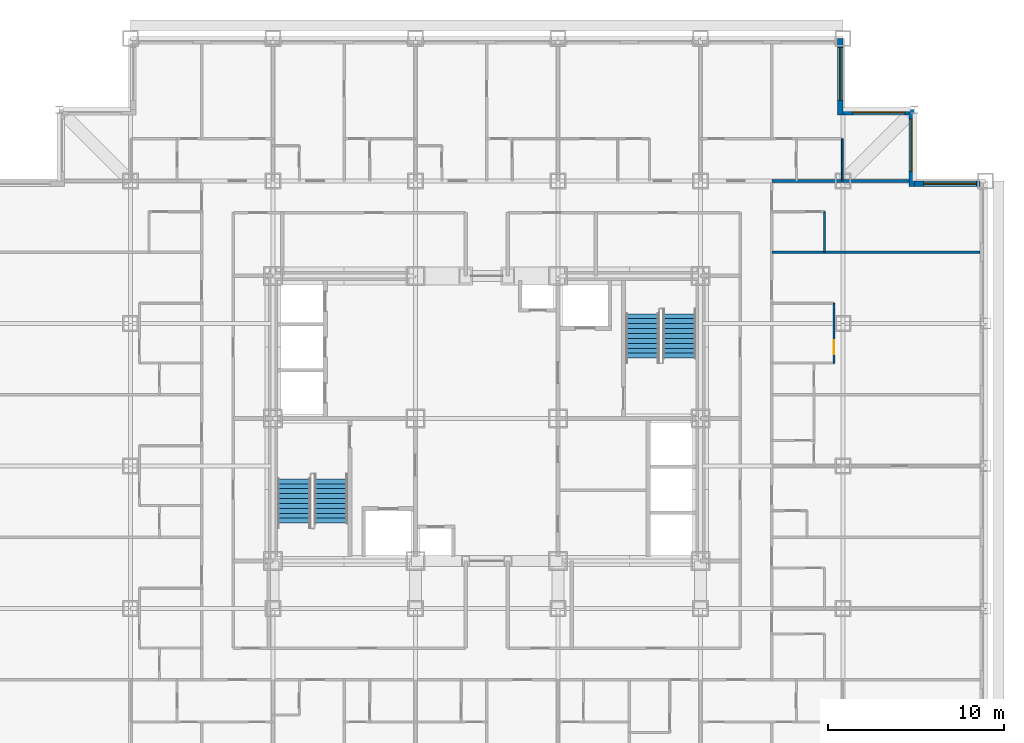
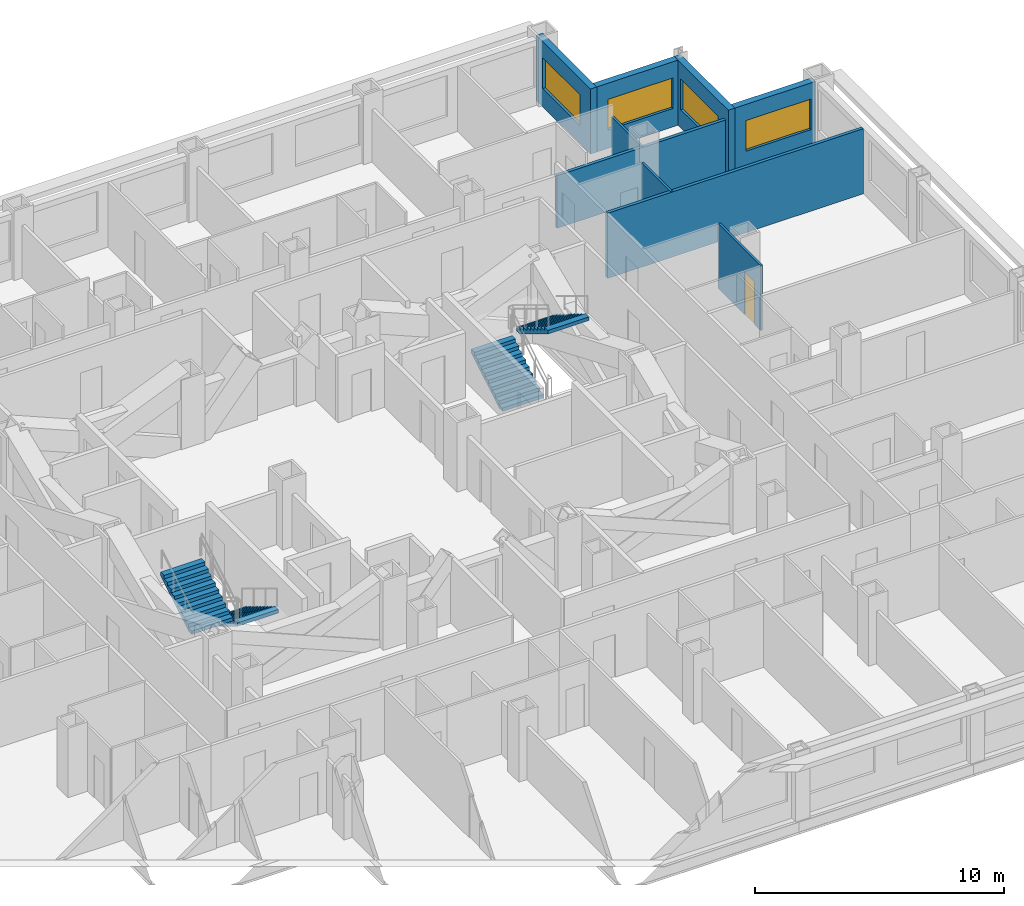
# One storey, part 11 of 12: 9 walls, 4 stair flights, 4 windows, 1 door, 5 openings, 2 elements without a shape of their own.
"""IFC4 building model written with IfcOpenShell, lengths in metres."""

import ifcopenshell
import ifcopenshell.guid

model = None  # the IFC model being written
_history = None  # IfcOwnerHistory: only IFC2X3 demands one
_inside = {}  # id of a spatial element -> (the spatial element, [elements in it])
_under = {}  # id of a project, library or spatial element -> (it, [spatial elements below it])
_declared = {}  # id of a project -> (the project, [libraries it declares])
_typed = {}  # id of a type object -> (the type object, [elements of that type])
_made_of = {}  # id of a material, layer set ... -> (it, [elements and type objects made of it])


def new_model(schema):
    """Start an empty IFC model of exactly this schema.

    Asked for "IFC4X3", IfcOpenShell would pick the latest addendum, in which some entities
    have other attributes; the version numbers below select the first issue.
    IFC2X3 requires an IfcOwnerHistory on every rooted entity: one is made here for all.
    """
    global model, _history
    if schema == "IFC4X3":
        model = ifcopenshell.file(schema_version=(4, 3, 0, 0))
    else:
        model = ifcopenshell.file(schema=schema)
    _inside.clear()
    _under.clear()
    _declared.clear()
    _typed.clear()
    _made_of.clear()
    _history = None
    if model.schema == "IFC2X3":
        org = make("IfcOrganization", Name="unknown")
        user = make(
            "IfcPersonAndOrganization",
            ThePerson=make("IfcPerson", FamilyName="unknown"),
            TheOrganization=org,
        )
        app = make(
            "IfcApplication",
            ApplicationDeveloper=org,
            Version="unknown",
            ApplicationFullName="unknown",
            ApplicationIdentifier="unknown",
        )
        _history = make(
            "IfcOwnerHistory",
            OwningUser=user,
            OwningApplication=app,
            ChangeAction="ADDED",
            CreationDate=0,
        )
    return model


def make(cls, **values):
    """One entity of the class cls with the attributes given. An attribute that is None is left unset."""
    return model.create_entity(
        cls, **{name: value for name, value in values.items() if value is not None}
    )


def rooted(cls, **values):
    """An entity with a GlobalId (a new one), such as an element, a storey or a relation."""
    return make(cls, GlobalId=ifcopenshell.guid.new(), OwnerHistory=_history, **values)


def si_unit(unit_type, name, prefix=None):
    """IfcSIUnit, for example si_unit("LENGTHUNIT", "METRE", prefix="MILLI")."""
    return make("IfcSIUnit", UnitType=unit_type, Prefix=prefix, Name=name)


def assignment(units):
    """IfcUnitAssignment: the units of a project."""
    return None if units is None else make("IfcUnitAssignment", Units=units)


def point(xyz):
    """IfcCartesianPoint."""
    return None if xyz is None else make("IfcCartesianPoint", Coordinates=xyz)


def direction(xyz):
    """IfcDirection."""
    return None if xyz is None else make("IfcDirection", DirectionRatios=xyz)


def frame(location, z_axis=None, x_axis=None):
    """IfcAxis2Placement3D, a coordinate frame: its origin and axes. An axis left out is left unset."""
    return make(
        "IfcAxis2Placement3D",
        Location=point(location),
        Axis=direction(z_axis),
        RefDirection=direction(x_axis),
    )


def frame_2d(location, x_axis=None):
    """IfcAxis2Placement2D, a coordinate frame in the plane: its origin and x axis."""
    return make(
        "IfcAxis2Placement2D", Location=point(location), RefDirection=direction(x_axis)
    )


def origin():
    """The frame at (0, 0, 0) with its axes left unset."""
    return frame((0.0, 0.0, 0.0))


def place(relative_to, where):
    """IfcLocalPlacement: puts the frame where relative to a parent placement (None: the world)."""
    return make(
        "IfcLocalPlacement", PlacementRelTo=relative_to, RelativePlacement=where
    )


def context(
    kind, dimensions, precision=None, world=None, true_north=None, identifier=None
):
    """IfcGeometricRepresentationContext, for example the 3D "Model" context."""
    return make(
        "IfcGeometricRepresentationContext",
        ContextIdentifier=identifier,
        ContextType=kind,
        CoordinateSpaceDimension=dimensions,
        Precision=precision,
        WorldCoordinateSystem=world,
        TrueNorth=true_north,
    )


def subcontext(parent, identifier, kind, view, scale=None):
    """IfcGeometricRepresentationSubContext, for example "Body" below "Model"."""
    return make(
        "IfcGeometricRepresentationSubContext",
        ContextIdentifier=identifier,
        ContextType=kind,
        ParentContext=parent,
        TargetScale=scale,
        TargetView=view,
    )


def project(units=None, contexts=None):
    """IfcProject with its units and contexts."""
    return rooted(
        "IfcProject",
        Name="project",
        RepresentationContexts=contexts,
        UnitsInContext=assignment(units),
    )


def spatial(cls, under=None, at=None, **own):
    """A site, building, storey or space (cls), placed at a placement, below another one or the project."""
    s = rooted(cls, ObjectPlacement=at, **own)
    if under is not None:
        _under.setdefault(under.id(), (under, []))[1].append(s)
    return s


def point_list(points):
    """IfcCartesianPointList2D or 3D."""
    cls = (
        "IfcCartesianPointList2D" if len(points[0]) == 2 else "IfcCartesianPointList3D"
    )
    return make(cls, CoordList=points)


def profile(cls, at=None, kind="AREA", **sizes):
    """A parametric profile (cls). Its sizes go by their IFC names, for example OverallWidth=200.0."""
    return make(cls, ProfileType=kind, Position=at, **sizes)


def rectangle(**sizes):
    """IfcRectangleProfileDef."""
    return profile("IfcRectangleProfileDef", **sizes)


def extrude(swept, where, along, depth):
    """IfcExtrudedAreaSolid: the profile swept, set in the frame where, extruded along a direction by depth."""
    return make(
        "IfcExtrudedAreaSolid",
        SweptArea=swept,
        Position=where,
        ExtrudedDirection=direction(along),
        Depth=depth,
    )


def polygons(points, faces, closed=None, point_numbers=None):
    """IfcPolygonalFaceSet: a face is its outer loop, then its inner loops; points numbered from 1."""
    made = []
    for loops in faces:
        if len(loops) == 1:
            made.append(make("IfcIndexedPolygonalFace", CoordIndex=loops[0]))
        else:
            made.append(
                make(
                    "IfcIndexedPolygonalFaceWithVoids",
                    CoordIndex=loops[0],
                    InnerCoordIndices=loops[1:],
                )
            )
    return make(
        "IfcPolygonalFaceSet",
        Coordinates=point_list(points),
        Closed=closed,
        Faces=made,
        PnIndex=point_numbers,
    )


def shape(context_of_items, identifier, shape_type, items):
    """IfcShapeRepresentation: the items that make up one representation, for example the "Body"."""
    return make(
        "IfcShapeRepresentation",
        ContextOfItems=context_of_items,
        RepresentationIdentifier=identifier,
        RepresentationType=shape_type,
        Items=items,
    )


def source(mapping_origin, context_of_items, identifier, shape_type, items):
    """IfcRepresentationMap: a shape defined once, which mapped items show again and again."""
    return make(
        "IfcRepresentationMap",
        MappingOrigin=mapping_origin,
        MappedRepresentation=shape(context_of_items, identifier, shape_type, items),
    )


def transform(
    local_origin,
    x_axis=None,
    y_axis=None,
    z_axis=None,
    scale=None,
    scale2=None,
    scale3=None,
    uniform=True,
):
    """IfcCartesianTransformationOperator3D, or its non-uniform kind. x_axis, y_axis, z_axis: its Axis1, 2, 3."""
    if uniform:
        return make(
            "IfcCartesianTransformationOperator3D",
            Axis1=direction(x_axis),
            Axis2=direction(y_axis),
            LocalOrigin=point(local_origin),
            Scale=scale,
            Axis3=direction(z_axis),
        )
    return make(
        "IfcCartesianTransformationOperator3DnonUniform",
        Axis1=direction(x_axis),
        Axis2=direction(y_axis),
        LocalOrigin=point(local_origin),
        Scale=scale,
        Axis3=direction(z_axis),
        Scale2=scale2,
        Scale3=scale3,
    )


def mapped(mapping_source, mapping_target):
    """IfcMappedItem: shows the shape of a source again, moved by a transform."""
    return make(
        "IfcMappedItem", MappingSource=mapping_source, MappingTarget=mapping_target
    )


def material(Name=None, Category=None):
    """IfcMaterial."""
    return make("IfcMaterial", Name=Name, Category=Category)


def layer(
    of_material, thickness, ventilated=None, Name=None, Category=None, Priority=None
):
    """IfcMaterialLayer: one layer of a wall or slab, of a material (None: an air gap)."""
    return make(
        "IfcMaterialLayer",
        Material=of_material,
        LayerThickness=thickness,
        IsVentilated=ventilated,
        Name=Name,
        Category=Category,
        Priority=Priority,
    )


def layer_set(layers, Name=None):
    """IfcMaterialLayerSet."""
    return make("IfcMaterialLayerSet", MaterialLayers=layers, LayerSetName=Name)


def made_of(thing, what):
    """Note that an element or type object is made of a material, layer set ...; save() writes the relation."""
    if what is not None:
        _made_of.setdefault(what.id(), (what, []))[1].append(thing)
    return thing


def type_object(cls, material=None, **own):
    """A type object (cls), such as IfcWallType, which elements share."""
    return made_of(rooted(cls, **own), material)


def element(
    cls,
    number,
    at=None,
    inside=None,
    cuts=None,
    type_object=None,
    material=None,
    context=None,
    identifier="Body",
    shape_type=None,
    held_by="IfcProductDefinitionShape",
    body=None,
    shapes=None,
    **own,
):
    """One element of the class cls, such as IfcWall. Its Tag is "e" and its number.

    at: its placement. inside: the storey or other place that contains it. cuts: it is an
    opening in that element (IfcRelVoidsElement). A single representation is given by context,
    identifier, shape_type and body (its items); several are given by shapes. held_by: the class
    of the entity that holds the representations. save() writes the other relations.
    """
    e = rooted(cls, Tag="e%d" % number, ObjectPlacement=at, **own)
    if body is not None:
        shapes = [shape(context, identifier, shape_type, body)]
    if shapes is not None:
        e.Representation = make(held_by, Representations=shapes)
    if inside is not None:
        _inside.setdefault(inside.id(), (inside, []))[1].append(e)
    if cuts is not None:
        rooted(
            "IfcRelVoidsElement", RelatingBuildingElement=cuts, RelatedOpeningElement=e
        )
    if type_object is not None:
        _typed.setdefault(type_object.id(), (type_object, []))[1].append(e)
    return made_of(e, material)


def fill(opening, filler):
    """IfcRelFillsElement: the door or window that sits in an opening."""
    return rooted(
        "IfcRelFillsElement",
        RelatingOpeningElement=opening,
        RelatedBuildingElement=filler,
    )


def aggregate(whole, parts):
    """IfcRelAggregates: a whole, such as a stair, and the parts it consists of."""
    return rooted("IfcRelAggregates", RelatingObject=whole, RelatedObjects=parts)


def save(model, path):
    """Write the relations noted so far, then the file.

    IfcRelAggregates (storeys below a building ...), IfcRelContainedInSpatialStructure (elements
    in a storey), IfcRelDefinesByType, IfcRelAssociatesMaterial and IfcRelDeclares: one each for
    every whole, place, type object, material and project.
    """
    for whole, parts in _under.values():
        aggregate(whole, parts)
    for where, things in _inside.values():
        rooted(
            "IfcRelContainedInSpatialStructure",
            RelatedElements=things,
            RelatingStructure=where,
        )
    for kind, things in _typed.values():
        rooted("IfcRelDefinesByType", RelatedObjects=things, RelatingType=kind)
    for what, things in _made_of.values():
        rooted("IfcRelAssociatesMaterial", RelatedObjects=things, RelatingMaterial=what)
    for by, libraries in _declared.values():
        rooted("IfcRelDeclares", RelatingContext=by, RelatedDefinitions=libraries)
    model.write(path)


model = new_model("IFC4")

# Units and contexts
model_context = context("Model", 3, precision=1e-05, world=origin(), true_north=direction((0.0, 1.0)))
body_context = subcontext(model_context, "Body", "Model", "MODEL_VIEW")
ifc_project = project(units=[si_unit("LENGTHUNIT", "METRE"), si_unit("AREAUNIT", "SQUARE_METRE"), si_unit("VOLUMEUNIT", "CUBIC_METRE"), si_unit("PLANEANGLEUNIT", "RADIAN"), si_unit("MASSUNIT", "GRAM", prefix="KILO")], contexts=[model_context])

# Site, building, storey
site_placement = place(None, origin())
site = spatial("IfcSite", under=ifc_project, at=site_placement, CompositionType="ELEMENT")
building_placement = place(site_placement, origin())
building = spatial("IfcBuilding", under=site, at=building_placement, Name="Kopane Lantern Tower", CompositionType="ELEMENT")
storey_placement = place(building_placement, frame((0.0, 0.0, 120.39990234375)))
storey = spatial("IfcBuildingStorey", under=building, at=storey_placement, Name="L30", CompositionType="ELEMENT", Elevation=120.39990234375)

# Wall, opening, door
ifc_material_1 = material(Name="Moisture-resistant board on steel studs", Category="steel")
ifc_layer_1 = layer(ifc_material_1, 0.10009765625)
ifc_layer_set_1 = layer_set([ifc_layer_1], Name="BATHROOM WALL 100")
wall_type_1 = type_object("IfcWallType", Name="BATHROOM WALL 100", PredefinedType="PARTITIONING", material=ifc_layer_set_1)
wall_1_placement = place(storey_placement, frame((48.090087890625, 35.550048828125, 0.0), z_axis=(0.0, 0.0, 1.0), x_axis=(0.0, 1.0, 0.0)))
wall_1 = element("IfcWall", 1, at=wall_1_placement, inside=storey, type_object=wall_type_1, Name="Bathroom Wall 100 L30", PredefinedType="PARTITIONING", context=body_context, shape_type="SweptSolid", body=[
    extrude(rectangle(XDim=3.39990234375, YDim=0.10009765625, at=frame_2d((1.699951171875, 0.0))), origin(), (0.0, 0.0, 1.0), 3.190185546875),
])
opening_1_placement = place(wall_1_placement, frame((0.5, 0.0, 0.0)))
opening_1 = element("IfcOpeningElement", 2, at=opening_1_placement, cuts=wall_1, Name="Opening L30-054", PredefinedType="OPENING", context=body_context, shape_type="SweptSolid", body=[
    extrude(rectangle(XDim=0.800048828125, YDim=2.10009765625, at=frame_2d((0.39990234375, 1.050048828125))), frame((0.0, 0.06005859375, 0.0), z_axis=(0.0, -1.0, 0.0), x_axis=(1.0, 0.0, 0.0)), (0.0, 0.0, 1.0), 0.1201171875),
])
ifc_material_2 = material(Name="Timber door set", Category="wood")
door_type = type_object("IfcDoorType", Name="DOOR D2 800x2100", OperationType="SINGLE_SWING_LEFT", PredefinedType="DOOR", material=ifc_material_2)
door_placement = place(opening_1_placement, origin())
door = element("IfcDoor", 3, at=door_placement, inside=storey, type_object=door_type, Name="Door L30-054", OperationType="SINGLE_SWING_LEFT", OverallHeight=2.10009765625, OverallWidth=0.800048828125, PredefinedType="DOOR", context=body_context, shape_type="SweptSolid", body=[
    extrude(rectangle(XDim=0.800048828125, YDim=2.10009765625, at=frame_2d((0.39990234375, 1.050048828125))), frame((0.0, 0.02490234375, 0.0), z_axis=(0.0, -1.0, 0.0), x_axis=(1.0, 0.0, 0.0)), (0.0, 0.0, 1.0), 0.050048828125),
])
fill(opening_1, door)

# Walls
wall_2_placement = place(storey_placement, frame((47.550048828125, 41.85009765625, 0.0), z_axis=(0.0, 0.0, 1.0), x_axis=(0.0, 1.0, 0.0)))
element("IfcWall", 4, at=wall_2_placement, inside=storey, type_object=wall_type_1, Name="Bathroom Wall 100 L30", PredefinedType="PARTITIONING", context=body_context, shape_type="SweptSolid", body=[
    extrude(rectangle(XDim=2.2998046875, YDim=0.10009765625, at=frame_2d((1.14990234375, 0.0))), origin(), (0.0, 0.0, 1.0), 3.190185546875),
])
wall_3_placement = place(storey_placement, frame((48.550048828125, 45.89990234375, 0.0), z_axis=(0.0, 0.0, 1.0), x_axis=(0.0, 1.0, 0.0)))
element("IfcWall", 5, at=wall_3_placement, inside=storey, type_object=wall_type_1, Name="Bathroom Wall 100 L30", PredefinedType="PARTITIONING", context=body_context, shape_type="SweptSolid", body=[
    extrude(rectangle(XDim=2.400146484375, YDim=0.10009765625, at=frame_2d((1.2001953125, 0.0))), origin(), (0.0, 0.0, 1.0), 2.577880859375),
])
ifc_material_3 = material(Name="Gypsum board on steel studs", Category="steel")
ifc_layer_2 = layer(ifc_material_3, 0.14990234375)
ifc_layer_set_2 = layer_set([ifc_layer_2], Name="DEMISING WALL 150 EI 60")
wall_type_2 = type_object("IfcWallType", Name="DEMISING WALL 150 EI 60", PredefinedType="PARTITIONING", material=ifc_layer_set_2)
wall_4_placement = place(storey_placement, frame((44.550048828125, 41.85009765625, 0.0), z_axis=(0.0, 0.0, 1.0), x_axis=(1.0, 0.0, 0.0)))
element("IfcWall", 6, at=wall_4_placement, inside=storey, type_object=wall_type_2, Name="Demising Wall 150 Ei 60 L30", PredefinedType="PARTITIONING", context=body_context, shape_type="SweptSolid", body=[
    extrude(rectangle(XDim=11.849853515625, YDim=0.14990234375, at=frame_2d((5.9248046875, 0.0))), origin(), (0.0, 0.0, 1.0), 3.190185546875),
])
wall_5_placement = place(storey_placement, frame((44.550048828125, 45.89990234375, 0.0), z_axis=(0.0, 0.0, 1.0), x_axis=(1.0, 0.0, 0.0)))
element("IfcWall", 7, at=wall_5_placement, inside=storey, type_object=wall_type_2, Name="Demising Wall 150 Ei 60 L30", PredefinedType="PARTITIONING", context=body_context, shape_type="SweptSolid", body=[
    extrude(rectangle(XDim=7.800048828125, YDim=0.14990234375, at=frame_2d((3.89990234375, 0.0))), origin(), (0.0, 0.0, 1.0), 2.577880859375),
])

# Wall, opening, window
ifc_material_4 = material(Name="Terracotta rainscreen on light steel framing", Category="masonry")
ifc_layer_3 = layer(ifc_material_4, 0.300048828125)
ifc_layer_set_3 = layer_set([ifc_layer_3], Name="EXTERNAL WALL EW1 300 TERRACOTTA")
wall_type_3 = type_object("IfcWallType", Name="EXTERNAL WALL EW1 300 TERRACOTTA", PredefinedType="SOLIDWALL", material=ifc_layer_set_3)
wall_6_placement = place(storey_placement, frame((56.39990234375, 45.75, 0.0), z_axis=(0.0, 0.0, 1.0), x_axis=(-1.0, 0.0, 0.0)))
wall_6 = element("IfcWall", 8, at=wall_6_placement, inside=storey, type_object=wall_type_3, Name="External wall N L30", PredefinedType="SOLIDWALL", context=body_context, shape_type="SweptSolid", body=[
    extrude(rectangle(XDim=3.75, YDim=0.300048828125, at=frame_2d((1.875, 0.0))), origin(), (0.0, 0.0, 1.0), 3.190185546875),
])
opening_2_placement = place(wall_6_placement, frame((0.22509765625, 0.0, 0.89990234375)))
opening_2 = element("IfcOpeningElement", 9, at=opening_2_placement, cuts=wall_6, Name="Opening WR300150", PredefinedType="OPENING", context=body_context, shape_type="SweptSolid", body=[
    extrude(rectangle(XDim=3.0, YDim=1.5, at=frame_2d((1.5, 0.75))), frame((0.0, 0.159912109375, 0.0), z_axis=(0.0, -1.0, 0.0), x_axis=(1.0, 0.0, 0.0)), (0.0, 0.0, 1.0), 0.320068359375),
])
ifc_material_5 = material(Name="Aluminium and clear glass", Category="aluminium")
window_type = type_object("IfcWindowType", Name="RIBBON WINDOW WR300150 3000x1500", PartitioningType="SINGLE_PANEL", PredefinedType="WINDOW", material=ifc_material_5)
window_1_placement = place(opening_2_placement, origin())
window_1 = element("IfcWindow", 10, at=window_1_placement, inside=storey, type_object=window_type, Name="Window N L30", OverallHeight=1.5, OverallWidth=3.0, PartitioningType="SINGLE_PANEL", PredefinedType="WINDOW", context=body_context, shape_type="SweptSolid", body=[
    extrude(rectangle(XDim=3.0, YDim=1.5, at=frame_2d((1.5, 0.75))), frame((0.0, 0.030029296875, 0.0), z_axis=(0.0, -1.0, 0.0), x_axis=(1.0, 0.0, 0.0)), (0.0, 0.0, 1.0), 0.06005859375),
])
fill(opening_2, window_1)

wall_7_placement = place(storey_placement, frame((52.5, 45.60009765625, 0.0), z_axis=(0.0, 0.0, 1.0), x_axis=(0.0, 1.0, 0.0)))
wall_7 = element("IfcWall", 11, at=wall_7_placement, inside=storey, type_object=wall_type_3, Name="External wall E L30", PredefinedType="SOLIDWALL", context=body_context, shape_type="SweptSolid", body=[
    extrude(rectangle(XDim=4.349853515625, YDim=0.300048828125, at=frame_2d((2.1748046875, 0.0))), origin(), (0.0, 0.0, 1.0), 3.190185546875),
])
opening_3_placement = place(wall_7_placement, frame((0.824951171875, 0.0, 0.89990234375)))
opening_3 = element("IfcOpeningElement", 12, at=opening_3_placement, cuts=wall_7, Name="Opening WR300150", PredefinedType="OPENING", context=body_context, shape_type="SweptSolid", body=[
    extrude(rectangle(XDim=3.0, YDim=1.5, at=frame_2d((1.5, 0.75))), frame((0.0, 0.159912109375, 0.0), z_axis=(0.0, -1.0, 0.0), x_axis=(1.0, 0.0, 0.0)), (0.0, 0.0, 1.0), 0.320068359375),
])
window_2_placement = place(opening_3_placement, origin())
window_2 = element("IfcWindow", 13, at=window_2_placement, inside=storey, type_object=window_type, Name="Window E L30", OverallHeight=1.5, OverallWidth=3.0, PartitioningType="SINGLE_PANEL", PredefinedType="WINDOW", context=body_context, shape_type="SweptSolid", body=[
    extrude(rectangle(XDim=3.0, YDim=1.5, at=frame_2d((1.5, 0.75))), frame((0.0, 0.030029296875, 0.0), z_axis=(0.0, -1.0, 0.0), x_axis=(1.0, 0.0, 0.0)), (0.0, 0.0, 1.0), 0.06005859375),
])
fill(opening_3, window_2)

wall_8_placement = place(storey_placement, frame((52.35009765625, 49.800048828125, 0.0), z_axis=(0.0, 0.0, 1.0), x_axis=(-1.0, 0.0, 0.0)))
wall_8 = element("IfcWall", 14, at=wall_8_placement, inside=storey, type_object=wall_type_3, Name="External wall N L30", PredefinedType="SOLIDWALL", context=body_context, shape_type="SweptSolid", body=[
    extrude(rectangle(XDim=3.75, YDim=0.300048828125, at=frame_2d((1.875, 0.0))), origin(), (0.0, 0.0, 1.0), 3.190185546875),
])
opening_4_placement = place(wall_8_placement, frame((0.22509765625, 0.0, 0.89990234375)))
opening_4 = element("IfcOpeningElement", 15, at=opening_4_placement, cuts=wall_8, Name="Opening WR300150", PredefinedType="OPENING", context=body_context, shape_type="SweptSolid", body=[
    extrude(rectangle(XDim=3.0, YDim=1.5, at=frame_2d((1.5, 0.75))), frame((0.0, 0.159912109375, 0.0), z_axis=(0.0, -1.0, 0.0), x_axis=(1.0, 0.0, 0.0)), (0.0, 0.0, 1.0), 0.320068359375),
])
window_3_placement = place(opening_4_placement, origin())
window_3 = element("IfcWindow", 16, at=window_3_placement, inside=storey, type_object=window_type, Name="Window N L30", OverallHeight=1.5, OverallWidth=3.0, PartitioningType="SINGLE_PANEL", PredefinedType="WINDOW", context=body_context, shape_type="SweptSolid", body=[
    extrude(rectangle(XDim=3.0, YDim=1.5, at=frame_2d((1.5, 0.75))), frame((0.0, 0.030029296875, 0.0), z_axis=(0.0, -1.0, 0.0), x_axis=(1.0, 0.0, 0.0)), (0.0, 0.0, 1.0), 0.06005859375),
])
fill(opening_4, window_3)

wall_9_placement = place(storey_placement, frame((48.449951171875, 49.64990234375, 0.0), z_axis=(0.0, 0.0, 1.0), x_axis=(0.0, 1.0, 0.0)))
wall_9 = element("IfcWall", 17, at=wall_9_placement, inside=storey, type_object=wall_type_3, Name="External wall E L30", PredefinedType="SOLIDWALL", context=body_context, shape_type="SweptSolid", body=[
    extrude(rectangle(XDim=4.35009765625, YDim=0.300048828125, at=frame_2d((2.175048828125, 0.0))), origin(), (0.0, 0.0, 1.0), 3.190185546875),
])
opening_5_placement = place(wall_9_placement, frame((0.824951171875, 0.0, 0.89990234375)))
opening_5 = element("IfcOpeningElement", 18, at=opening_5_placement, cuts=wall_9, Name="Opening WR300150", PredefinedType="OPENING", context=body_context, shape_type="SweptSolid", body=[
    extrude(rectangle(XDim=3.0, YDim=1.5, at=frame_2d((1.5, 0.75))), frame((0.0, 0.159912109375, 0.0), z_axis=(0.0, -1.0, 0.0), x_axis=(1.0, 0.0, 0.0)), (0.0, 0.0, 1.0), 0.320068359375),
])
window_4_placement = place(opening_5_placement, origin())
window_4 = element("IfcWindow", 19, at=window_4_placement, inside=storey, type_object=window_type, Name="Window E L30", OverallHeight=1.5, OverallWidth=3.0, PartitioningType="SINGLE_PANEL", PredefinedType="WINDOW", context=body_context, shape_type="SweptSolid", body=[
    extrude(rectangle(XDim=3.0, YDim=1.5, at=frame_2d((1.5, 0.75))), frame((0.0, 0.030029296875, 0.0), z_axis=(0.0, -1.0, 0.0), x_axis=(1.0, 0.0, 0.0)), (0.0, 0.0, 1.0), 0.06005859375),
])
fill(opening_5, window_4)

# Stair, stair flights
ifc_material_6 = material(Name="Steel S355JR", Category="steel")
stair_type = type_object("IfcStairType", Name="EXIT STAIR 1900 HALF TURN", PredefinedType="HALF_TURN_STAIR", material=ifc_material_6)
stair_1_placement = place(storey_placement, origin())
stair_1 = element("IfcStair", 20, at=stair_1_placement, inside=storey, type_object=stair_type, Name="Exit stair ST1 L30", PredefinedType="HALF_TURN_STAIR")
ifc_material_7 = material(Name="Steel S355JR", Category="steel")
stair_flight_type = type_object("IfcStairFlightType", Name="STAIR FLIGHT 1900 STEEL", PredefinedType="STRAIGHT", material=ifc_material_7)
shared_shape = source(origin(), body_context, "Body", "Tessellation", [
    polygons([(2.520019531, 0.949951172, 1.530029297), (2.239990234, 0.949951172, 1.530029297), (2.239990234, -0.949951172, 1.530029297), (2.520019531, -0.949951172, 1.530029297), (0.288818359, 0.949951172, 0.0), (2.520019531, 0.949951172, 1.354736328), (2.520019531, -0.949951172, 1.354736328), (0.288818359, -0.949951172, 0.0), (0.0, 0.949951172, 0.0), (0.0, -0.949951172, 0.0), (0.280029297, 0.949951172, 0.169921875), (0.0, 0.949951172, 0.169921875), (0.0, -0.949951172, 0.169921875), (0.280029297, -0.949951172, 0.169921875), (0.280029297, 0.949951172, 0.340087891), (0.280029297, -0.949951172, 0.340087891), (0.560058594, 0.949951172, 0.340087891), (0.560058594, -0.949951172, 0.340087891), (0.560058594, 0.949951172, 0.510009766), (0.560058594, -0.949951172, 0.510009766), (0.840087891, 0.949951172, 0.510009766), (0.840087891, -0.949951172, 0.510009766), (0.840087891, 0.949951172, 0.679931641), (0.840087891, -0.949951172, 0.679931641), (1.120117188, 0.949951172, 0.679931641), (1.120117188, -0.949951172, 0.679931641), (1.120117188, 0.949951172, 0.850097656), (1.120117188, -0.949951172, 0.850097656), (1.399902344, 0.949951172, 0.850097656), (1.399902344, -0.949951172, 0.850097656), (1.399902344, 0.949951172, 1.020019531), (1.399902344, -0.949951172, 1.020019531), (1.679931641, 0.949951172, 1.020019531), (1.679931641, -0.949951172, 1.020019531), (1.679931641, 0.949951172, 1.189941406), (1.679931641, -0.949951172, 1.189941406), (1.959960938, 0.949951172, 1.189941406), (1.959960938, -0.949951172, 1.189941406), (1.959960938, 0.949951172, 1.360107422), (1.959960938, -0.949951172, 1.360107422), (2.239990234, 0.949951172, 1.360107422), (2.239990234, -0.949951172, 1.360107422), (0.0, 0.0, 0.004592483), (0.0, 0.0, 0.009184966), (0.0, 0.0, 0.013777449), (0.0, 0.0, 0.018369932), (0.0, 0.0, 0.022962416), (0.0, 0.0, 0.027554899), (0.0, 0.0, 0.032147382), (0.0, 0.0, 0.036739865), (0.0, 0.0, 0.041332348), (0.0, 0.0, 0.045924831), (0.0, 0.0, 0.050517314), (0.0, 0.0, 0.055109797), (0.0, 0.0, 0.05970228), (0.0, 0.0, 0.064294764), (0.0, 0.0, 0.068887247), (0.0, 0.0, 0.07347973), (0.0, 0.0, 0.078072213), (0.0, 0.0, 0.082664696), (0.0, 0.0, 0.087257179), (0.0, 0.0, 0.091849662), (0.0, 0.0, 0.096442145), (0.0, 0.0, 0.101034628), (0.0, 0.0, 0.105627111), (0.0, 0.0, 0.110219595), (0.0, 0.0, 0.114812078), (0.0, 0.0, 0.119404561), (0.0, 0.0, 0.123997044), (0.0, 0.0, 0.128589527), (0.0, 0.0, 0.13318201), (0.0, 0.0, 0.137774493), (0.0, 0.0, 0.142366976), (0.0, 0.0, 0.146959459), (0.0, 0.0, 0.151551943), (0.0, 0.0, 0.156144426), (0.0, 0.0, 0.160736909), (0.0, 0.0, 0.165329392), (2.520019531, 0.0, 1.359473976), (2.520019531, 0.0, 1.364211624), (2.520019531, 0.0, 1.368949272), (2.520019531, 0.0, 1.373686919), (2.520019531, 0.0, 1.378424567), (2.520019531, 0.0, 1.383162215), (2.520019531, 0.0, 1.387899863), (2.520019531, 0.0, 1.392637511), (2.520019531, 0.0, 1.397375158), (2.520019531, 0.0, 1.402112806), (2.520019531, 0.0, 1.406850454), (2.520019531, 0.0, 1.411588102), (2.520019531, 0.0, 1.41632575), (2.520019531, 0.0, 1.421063397), (2.520019531, 0.0, 1.425801045), (2.520019531, 0.0, 1.430538693), (2.520019531, 0.0, 1.435276341), (2.520019531, 0.0, 1.440013989), (2.520019531, 0.0, 1.444751636), (2.520019531, 0.0, 1.449489284), (2.520019531, 0.0, 1.454226932), (2.520019531, 0.0, 1.45896458), (2.520019531, 0.0, 1.463702228), (2.520019531, 0.0, 1.468439875), (2.520019531, 0.0, 1.473177523), (2.520019531, 0.0, 1.477915171), (2.520019531, 0.0, 1.482652819), (2.520019531, 0.0, 1.487390467), (2.520019531, 0.0, 1.492128114), (2.520019531, 0.0, 1.496865762), (2.520019531, 0.0, 1.50160341), (2.520019531, 0.0, 1.506341058), (2.520019531, 0.0, 1.511078706), (2.520019531, 0.0, 1.515816353), (2.520019531, 0.0, 1.520554001), (2.520019531, 0.0, 1.525291649)], [[[1, 2, 3]], [[1, 3, 4]], [[5, 6, 7]], [[5, 7, 8]], [[9, 5, 8]], [[9, 8, 10]], [[11, 12, 13]], [[11, 13, 14]], [[15, 11, 14]], [[15, 14, 16]], [[17, 15, 16]], [[17, 16, 18]], [[19, 17, 18]], [[19, 18, 20]], [[21, 19, 20]], [[21, 20, 22]], [[23, 21, 22]], [[23, 22, 24]], [[25, 23, 24]], [[25, 24, 26]], [[27, 25, 26]], [[27, 26, 28]], [[29, 27, 28]], [[29, 28, 30]], [[31, 29, 30]], [[31, 30, 32]], [[33, 31, 32]], [[33, 32, 34]], [[35, 33, 34]], [[35, 34, 36]], [[37, 35, 36]], [[37, 36, 38]], [[39, 37, 38]], [[39, 38, 40]], [[41, 39, 40]], [[41, 40, 42]], [[2, 41, 42]], [[2, 42, 3]], [[41, 1, 6]], [[37, 41, 6]], [[2, 1, 41]], [[33, 37, 6]], [[39, 41, 37]], [[35, 37, 33]], [[31, 33, 29]], [[5, 21, 25]], [[27, 29, 25]], [[17, 21, 5]], [[23, 25, 21]], [[11, 17, 5]], [[19, 21, 17]], [[9, 11, 5]], [[15, 17, 11]], [[12, 11, 9]], [[6, 5, 25]], [[6, 25, 29]], [[6, 29, 33]], [[7, 4, 42]], [[7, 42, 38]], [[42, 4, 3]], [[7, 38, 34]], [[38, 42, 40]], [[34, 38, 36]], [[30, 34, 32]], [[26, 22, 8]], [[26, 30, 28]], [[8, 22, 18]], [[22, 26, 24]], [[8, 18, 14]], [[18, 22, 20]], [[8, 14, 10]], [[14, 18, 16]], [[10, 14, 13]], [[26, 8, 7]], [[30, 26, 7]], [[34, 30, 7]], [[10, 43, 9]], [[10, 44, 43]], [[9, 43, 44]], [[10, 45, 44]], [[9, 44, 45]], [[10, 46, 45]], [[9, 45, 46]], [[10, 47, 46]], [[9, 46, 47]], [[10, 48, 47]], [[9, 47, 48]], [[10, 49, 48]], [[9, 48, 49]], [[10, 50, 49]], [[9, 49, 50]], [[10, 51, 50]], [[9, 50, 51]], [[10, 52, 51]], [[9, 51, 52]], [[10, 53, 52]], [[9, 52, 53]], [[10, 54, 53]], [[9, 53, 54]], [[10, 55, 54]], [[9, 54, 55]], [[10, 56, 55]], [[9, 55, 56]], [[10, 57, 56]], [[9, 56, 57]], [[10, 58, 57]], [[9, 57, 58]], [[10, 59, 58]], [[9, 58, 59]], [[10, 60, 59]], [[9, 59, 60]], [[10, 61, 60]], [[9, 60, 61]], [[10, 62, 61]], [[9, 61, 62]], [[10, 63, 62]], [[9, 62, 63]], [[10, 64, 63]], [[9, 63, 64]], [[10, 65, 64]], [[9, 64, 65]], [[10, 66, 65]], [[9, 65, 66]], [[10, 67, 66]], [[9, 66, 67]], [[10, 68, 67]], [[9, 67, 68]], [[10, 69, 68]], [[9, 68, 69]], [[10, 70, 69]], [[9, 69, 70]], [[10, 71, 70]], [[9, 70, 71]], [[10, 72, 71]], [[9, 71, 72]], [[10, 73, 72]], [[9, 72, 73]], [[10, 74, 73]], [[9, 73, 74]], [[10, 75, 74]], [[9, 74, 75]], [[10, 76, 75]], [[9, 75, 76]], [[10, 77, 76]], [[9, 76, 77]], [[10, 78, 77]], [[9, 77, 78]], [[10, 13, 78]], [[78, 13, 12]], [[9, 78, 12]], [[7, 6, 79]], [[7, 79, 80]], [[6, 80, 79]], [[7, 80, 81]], [[6, 81, 80]], [[7, 81, 82]], [[6, 82, 81]], [[7, 82, 83]], [[6, 83, 82]], [[7, 83, 84]], [[6, 84, 83]], [[7, 84, 85]], [[6, 85, 84]], [[7, 85, 86]], [[6, 86, 85]], [[7, 86, 87]], [[6, 87, 86]], [[7, 87, 88]], [[6, 88, 87]], [[7, 88, 89]], [[6, 89, 88]], [[7, 89, 90]], [[6, 90, 89]], [[7, 90, 91]], [[6, 91, 90]], [[7, 91, 92]], [[6, 92, 91]], [[7, 92, 93]], [[6, 93, 92]], [[7, 93, 94]], [[6, 94, 93]], [[7, 94, 95]], [[6, 95, 94]], [[7, 95, 96]], [[6, 96, 95]], [[7, 96, 97]], [[6, 97, 96]], [[7, 97, 98]], [[6, 98, 97]], [[7, 98, 99]], [[6, 99, 98]], [[7, 99, 100]], [[6, 100, 99]], [[7, 100, 101]], [[6, 101, 100]], [[7, 101, 102]], [[6, 102, 101]], [[7, 102, 103]], [[6, 103, 102]], [[7, 103, 104]], [[6, 104, 103]], [[7, 104, 105]], [[6, 105, 104]], [[7, 105, 106]], [[6, 106, 105]], [[7, 106, 107]], [[6, 107, 106]], [[7, 107, 108]], [[6, 108, 107]], [[7, 108, 109]], [[6, 109, 108]], [[7, 109, 110]], [[6, 110, 109]], [[7, 110, 111]], [[6, 111, 110]], [[7, 111, 112]], [[6, 112, 111]], [[7, 112, 113]], [[6, 113, 112]], [[7, 113, 114]], [[6, 114, 113]], [[7, 114, 4]], [[114, 1, 4]], [[6, 1, 114]]], closed=True),
])
stair_flight_1_placement = place(storey_placement, frame((19.5, 28.969970703125, 0.0), z_axis=(0.0, 0.0, 1.0), x_axis=(0.0, -1.0, 0.0)))
stair_flight_1 = element("IfcStairFlight", 21, at=stair_flight_1_placement, type_object=stair_flight_type, Name="ST1 flight 1", NumberOfRisers=10, NumberOfTreads=9, PredefinedType="STRAIGHT", RiserHeight=0.17, TreadLength=0.28, context=body_context, shape_type="MappedRepresentation", body=[
    mapped(shared_shape, transform((0.0, 0.0, 0.0))),
])
stair_flight_2_placement = place(storey_placement, frame((17.39990234375, 26.449951171875, 1.7001953125), z_axis=(0.0, 0.0, 1.0), x_axis=(0.0, 1.0, 0.0)))
stair_flight_2 = element("IfcStairFlight", 22, at=stair_flight_2_placement, type_object=stair_flight_type, Name="ST1 flight 2", NumberOfRisers=10, NumberOfTreads=9, PredefinedType="STRAIGHT", RiserHeight=0.17, TreadLength=0.28, context=body_context, shape_type="MappedRepresentation", body=[
    mapped(shared_shape, transform((0.0, 0.0, 0.0))),
])
aggregate(stair_1, [stair_flight_1, stair_flight_2])

stair_2_placement = place(storey_placement, origin())
stair_2 = element("IfcStair", 23, at=stair_2_placement, inside=storey, type_object=stair_type, Name="Exit stair ST2 L30", PredefinedType="HALF_TURN_STAIR")
stair_flight_3_placement = place(storey_placement, frame((37.199951171875, 35.830078125, 0.0), z_axis=(0.0, 0.0, 1.0), x_axis=(0.0, 1.0, 0.0)))
stair_flight_3 = element("IfcStairFlight", 24, at=stair_flight_3_placement, type_object=stair_flight_type, Name="ST2 flight 1", NumberOfRisers=10, NumberOfTreads=9, PredefinedType="STRAIGHT", RiserHeight=0.17, TreadLength=0.28, context=body_context, shape_type="MappedRepresentation", body=[
    mapped(shared_shape, transform((0.0, 0.0, 0.0))),
])
stair_flight_4_placement = place(storey_placement, frame((39.300048828125, 38.35009765625, 1.7001953125), z_axis=(0.0, 0.0, 1.0), x_axis=(0.0, -1.0, 0.0)))
stair_flight_4 = element("IfcStairFlight", 25, at=stair_flight_4_placement, type_object=stair_flight_type, Name="ST2 flight 2", NumberOfRisers=10, NumberOfTreads=9, PredefinedType="STRAIGHT", RiserHeight=0.17, TreadLength=0.28, context=body_context, shape_type="MappedRepresentation", body=[
    mapped(shared_shape, transform((0.0, 0.0, 0.0))),
])
aggregate(stair_2, [stair_flight_3, stair_flight_4])

save(model, "model.ifc")
